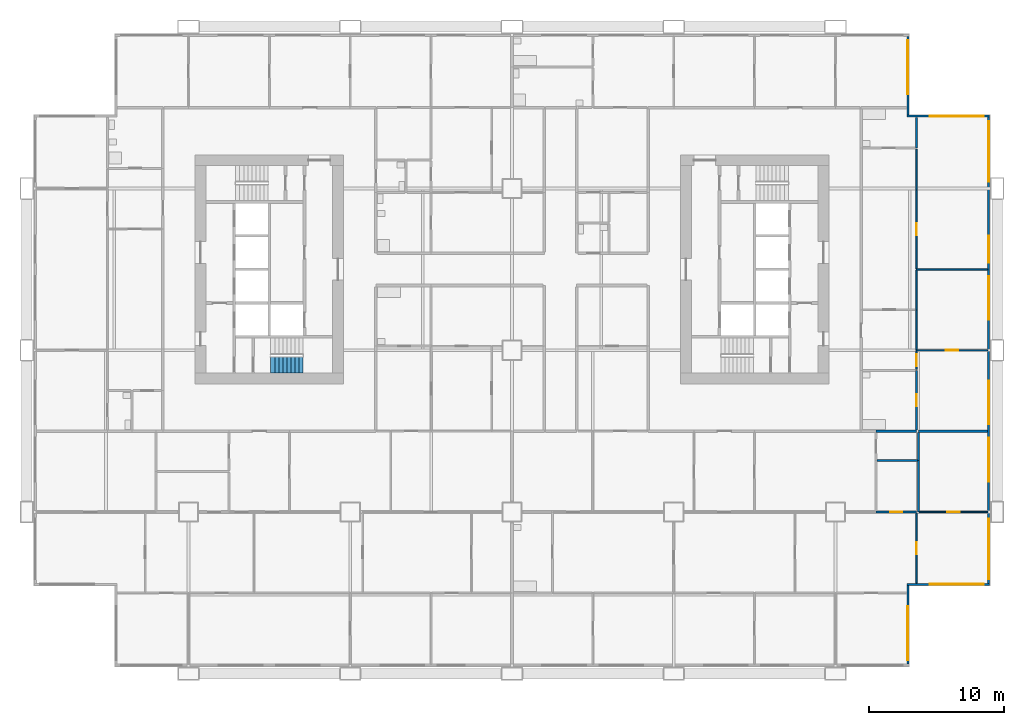
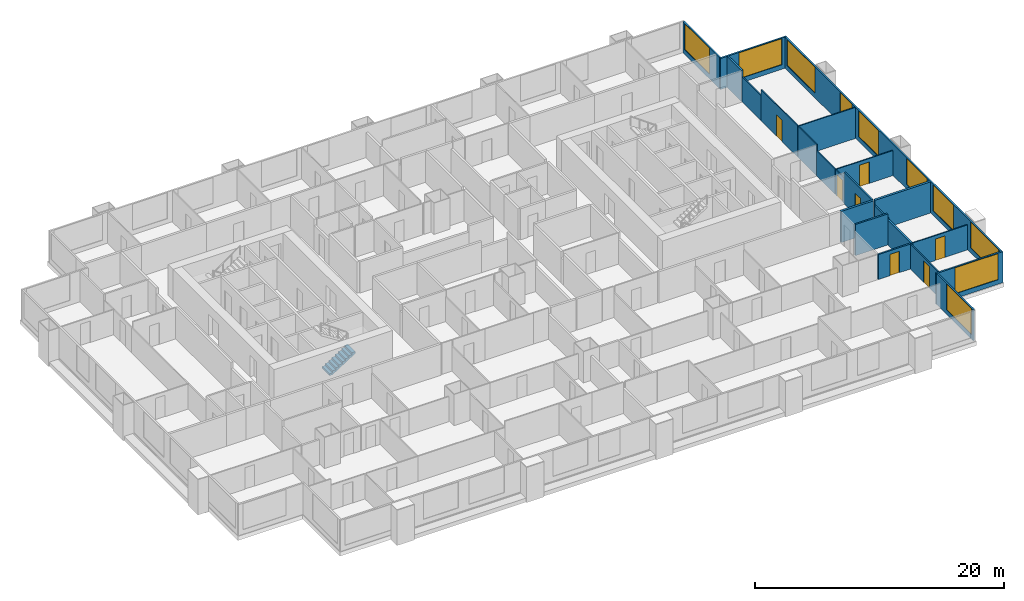
# One storey, part 10 of 13: 22 walls, 10 windows, 7 doors, 1 stair flight, 17 openings, 1 element without a shape of its own.
"""IFC4 building model written with IfcOpenShell, lengths in metres."""

from ifc_helpers import new_model, si_unit, direction, frame, frame_2d, origin, place, context, subcontext, project, spatial, polyline, rectangle, outline, extrude, material, layer, layer_set, type_object, element, fill, aggregate, save


model = new_model("IFC4")

# Units and contexts
model_context = context("Model", 3, precision=1e-05, world=origin(), true_north=direction((0.0, 1.0)))
body_context = subcontext(model_context, "Body", "Model", "MODEL_VIEW")
ifc_project = project(units=[si_unit("LENGTHUNIT", "METRE"), si_unit("AREAUNIT", "SQUARE_METRE"), si_unit("VOLUMEUNIT", "CUBIC_METRE"), si_unit("PLANEANGLEUNIT", "RADIAN"), si_unit("MASSUNIT", "GRAM", prefix="KILO")], contexts=[model_context])

# Site, building, storey
site_placement = place(None, origin())
site = spatial("IfcSite", under=ifc_project, at=site_placement, CompositionType="ELEMENT")
building_placement = place(site_placement, origin())
building = spatial("IfcBuilding", under=site, at=building_placement, Name="Kitamizu Gate Tower and Museum", CompositionType="ELEMENT")
storey_placement = place(building_placement, frame((0.0, 0.0, 88.64990234375)))
storey = spatial("IfcBuildingStorey", under=building, at=storey_placement, Name="L22", CompositionType="ELEMENT", Elevation=88.64990234375)

# Wall, opening, door
ifc_material_1 = material(Name="Gypsum board on galvanised stud")
ifc_layer_1 = layer(ifc_material_1, 0.10009765625)
ifc_layer_set_1 = layer_set([ifc_layer_1], Name="Gypsum board on galvanised stud")
wall_type_1 = type_object("IfcWallType", Name="Partition 100 NOT RATED", PredefinedType="PARTITIONING", material=ifc_layer_set_1)
wall_1_placement = place(storey_placement, frame((66.0, 6.719970703125, 0.0), z_axis=(0.0, 0.0, 1.0), x_axis=(0.0, 1.0, 0.0)))
wall_1 = element("IfcWall", 1, at=wall_1_placement, inside=storey, type_object=wall_type_1, Name="Partition L22-140", PredefinedType="PARTITIONING", context=body_context, shape_type="SweptSolid", body=[
    extrude(rectangle(XDim=5.205078125, YDim=0.10009765625, at=frame_2d((2.6025390625, 0.0))), origin(), (0.0, 0.0, 1.0), 2.4501953125),
])
opening_1_placement = place(wall_1_placement, frame((2.152587890625, 0.0, 0.0)))
opening_1 = element("IfcOpeningElement", 2, at=opening_1_placement, cuts=wall_1, Name="Opening L22-047", PredefinedType="OPENING", context=body_context, shape_type="SweptSolid", body=[
    extrude(rectangle(XDim=0.89990234375, YDim=2.10009765625, at=frame_2d((0.449951171875, 1.050048828125))), frame((0.0, 0.06005859375, 0.0), z_axis=(0.0, -1.0, 0.0), x_axis=(1.0, 0.0, 0.0)), (0.0, 0.0, 1.0), 0.1201171875),
])
ifc_material_2 = material(Name="Timber door set", Category="wood")
door_type_1 = type_object("IfcDoorType", Name="Room door 900", OperationType="NOTDEFINED", PredefinedType="DOOR", material=ifc_material_2)
door_1_placement = place(opening_1_placement, origin())
door_1 = element("IfcDoor", 3, at=door_1_placement, inside=storey, type_object=door_type_1, Name="Door L22-047", OperationType="SINGLE_SWING_RIGHT", OverallHeight=2.10009765625, OverallWidth=0.89990234375, PredefinedType="DOOR", context=body_context, shape_type="SweptSolid", body=[
    extrude(rectangle(XDim=0.89990234375, YDim=2.10009765625, at=frame_2d((0.449951171875, 1.050048828125))), frame((0.0, 0.02490234375, 0.0), z_axis=(0.0, -1.0, 0.0), x_axis=(1.0, 0.0, 0.0)), (0.0, 0.0, 1.0), 0.050048828125),
])
fill(opening_1, door_1)

wall_2_placement = place(storey_placement, frame((71.280029296875, 12.0, 0.0), z_axis=(0.0, 0.0, 1.0), x_axis=(-1.0, 0.0, 0.0)))
wall_2 = element("IfcWall", 4, at=wall_2_placement, inside=storey, type_object=wall_type_1, Name="Partition L22-144", PredefinedType="PARTITIONING", context=body_context, shape_type="SweptSolid", body=[
    extrude(rectangle(XDim=5.05908203125, YDim=0.10009765625, at=frame_2d((2.529541015625, 0.0))), origin(), (0.0, 0.0, 1.0), 2.4501953125),
])
opening_2_placement = place(wall_2_placement, frame((2.07958984375, 0.0, 0.0)))
opening_2 = element("IfcOpeningElement", 5, at=opening_2_placement, cuts=wall_2, Name="Opening L22-054", PredefinedType="OPENING", context=body_context, shape_type="SweptSolid", body=[
    extrude(rectangle(XDim=0.89990234375, YDim=2.10009765625, at=frame_2d((0.449951171875, 1.050048828125))), frame((0.0, 0.06005859375, 0.0), z_axis=(0.0, -1.0, 0.0), x_axis=(1.0, 0.0, 0.0)), (0.0, 0.0, 1.0), 0.1201171875),
])
door_2_placement = place(opening_2_placement, frame((0.89990234375, 0.0, 0.0), x_axis=(-1.0, 0.0, 0.0)))
door_2 = element("IfcDoor", 6, at=door_2_placement, inside=storey, type_object=door_type_1, Name="Door L22-054", OperationType="SINGLE_SWING_LEFT", OverallHeight=2.10009765625, OverallWidth=0.89990234375, PredefinedType="DOOR", context=body_context, shape_type="SweptSolid", body=[
    extrude(rectangle(XDim=0.89990234375, YDim=2.10009765625, at=frame_2d((0.449951171875, 1.050048828125))), frame((0.0, 0.02490234375, 0.0), z_axis=(0.0, -1.0, 0.0), x_axis=(1.0, 0.0, 0.0)), (0.0, 0.0, 1.0), 0.050048828125),
])
fill(opening_2, door_2)

wall_3_placement = place(storey_placement, frame((71.280029296875, 24.0, 0.0), z_axis=(0.0, 0.0, 1.0), x_axis=(-1.0, 0.0, 0.0)))
wall_3 = element("IfcWall", 7, at=wall_3_placement, inside=storey, type_object=wall_type_1, Name="Partition L22-169", PredefinedType="PARTITIONING", context=body_context, shape_type="SweptSolid", body=[
    extrude(rectangle(XDim=5.280029296875, YDim=0.10009765625, at=frame_2d((2.64013671875, 0.0))), origin(), (0.0, 0.0, 1.0), 2.4501953125),
])
opening_3_placement = place(wall_3_placement, frame((2.18994140625, 0.0, 0.0)))
opening_3 = element("IfcOpeningElement", 8, at=opening_3_placement, cuts=wall_3, Name="Opening L22-063", PredefinedType="OPENING", context=body_context, shape_type="SweptSolid", body=[
    extrude(rectangle(XDim=0.89990234375, YDim=2.10009765625, at=frame_2d((0.449951171875, 1.050048828125))), frame((0.0, 0.06005859375, 0.0), z_axis=(0.0, -1.0, 0.0), x_axis=(1.0, 0.0, 0.0)), (0.0, 0.0, 1.0), 0.1201171875),
])
door_3_placement = place(opening_3_placement, origin())
door_3 = element("IfcDoor", 9, at=door_3_placement, inside=storey, type_object=door_type_1, Name="Door L22-063", OperationType="SINGLE_SWING_LEFT", OverallHeight=2.10009765625, OverallWidth=0.89990234375, PredefinedType="DOOR", context=body_context, shape_type="SweptSolid", body=[
    extrude(rectangle(XDim=0.89990234375, YDim=2.10009765625, at=frame_2d((0.449951171875, 1.050048828125))), frame((0.0, 0.02490234375, 0.0), z_axis=(0.0, -1.0, 0.0), x_axis=(1.0, 0.0, 0.0)), (0.0, 0.0, 1.0), 0.050048828125),
])
fill(opening_3, door_3)

wall_4_placement = place(storey_placement, frame((66.0, 23.949951171875, 0.0), z_axis=(0.0, 0.0, 1.0), x_axis=(0.0, -1.0, 0.0)))
wall_4 = element("IfcWall", 10, at=wall_4_placement, inside=storey, type_object=wall_type_1, Name="Partition L22-171", PredefinedType="PARTITIONING", context=body_context, shape_type="SweptSolid", body=[
    extrude(rectangle(XDim=1.375, YDim=0.10009765625, at=frame_2d((0.6875, 0.0))), origin(), (0.0, 0.0, 1.0), 2.4501953125),
])
opening_4_placement = place(wall_4_placement, frame((0.237548828125, 0.0, 0.0)))
opening_4 = element("IfcOpeningElement", 11, at=opening_4_placement, cuts=wall_4, Name="Opening L22-060", PredefinedType="OPENING", context=body_context, shape_type="SweptSolid", body=[
    extrude(rectangle(XDim=0.89990234375, YDim=2.10009765625, at=frame_2d((0.449951171875, 1.050048828125))), frame((0.0, 0.06005859375, 0.0), z_axis=(0.0, -1.0, 0.0), x_axis=(1.0, 0.0, 0.0)), (0.0, 0.0, 1.0), 0.1201171875),
])
door_4_placement = place(opening_4_placement, origin())
door_4 = element("IfcDoor", 12, at=door_4_placement, inside=storey, type_object=door_type_1, Name="Door L22-060", OperationType="SINGLE_SWING_RIGHT", OverallHeight=2.10009765625, OverallWidth=0.89990234375, PredefinedType="DOOR", context=body_context, shape_type="SweptSolid", body=[
    extrude(rectangle(XDim=0.89990234375, YDim=2.10009765625, at=frame_2d((0.449951171875, 1.050048828125))), frame((0.0, 0.02490234375, 0.0), z_axis=(0.0, -1.0, 0.0), x_axis=(1.0, 0.0, 0.0)), (0.0, 0.0, 1.0), 0.050048828125),
])
fill(opening_4, door_4)

# Walls
wall_5_placement = place(storey_placement, frame((71.280029296875, 30.0, 0.0), z_axis=(0.0, 0.0, 1.0), x_axis=(-1.0, 0.0, 0.0)))
element("IfcWall", 13, at=wall_5_placement, inside=storey, type_object=wall_type_1, Name="Partition L22-172", PredefinedType="PARTITIONING", context=body_context, shape_type="SweptSolid", body=[
    extrude(rectangle(XDim=5.280029296875, YDim=0.10009765625, at=frame_2d((2.64013671875, 0.0))), origin(), (0.0, 0.0, 1.0), 3.050048828125),
])
wall_6_placement = place(storey_placement, frame((66.0, 27.0, 0.0), z_axis=(0.0, 0.0, 1.0), x_axis=(0.0, -1.0, 0.0)))
element("IfcWall", 14, at=wall_6_placement, inside=storey, type_object=wall_type_1, Name="Partition L22-173", PredefinedType="PARTITIONING", context=body_context, shape_type="SweptSolid", body=[
    extrude(rectangle(XDim=2.949951171875, YDim=0.10009765625, at=frame_2d((1.47509765625, 0.0))), origin(), (0.0, 0.0, 1.0), 2.4501953125),
])
wall_7_placement = place(storey_placement, frame((66.0, 29.949951171875, 0.0), z_axis=(0.0, 0.0, 1.0), x_axis=(0.0, -1.0, 0.0)))
element("IfcWall", 15, at=wall_7_placement, inside=storey, type_object=wall_type_1, Name="Partition L22-174", PredefinedType="PARTITIONING", context=body_context, shape_type="SweptSolid", body=[
    extrude(rectangle(XDim=2.949951171875, YDim=0.10009765625, at=frame_2d((1.47509765625, 0.0))), origin(), (0.0, 0.0, 1.0), 3.050048828125),
])
wall_8_placement = place(storey_placement, frame((66.0, 38.925048828125, 0.0), z_axis=(0.0, 0.0, 1.0), x_axis=(0.0, -1.0, 0.0)))
element("IfcWall", 16, at=wall_8_placement, inside=storey, type_object=wall_type_1, Name="Partition L22-175", PredefinedType="PARTITIONING", context=body_context, shape_type="SweptSolid", body=[
    extrude(rectangle(XDim=3.025146484375, YDim=0.10009765625, at=frame_2d((1.5126953125, 0.0))), origin(), (0.0, 0.0, 1.0), 2.4501953125),
])

# Wall, opening, door
wall_9_placement = place(storey_placement, frame((66.0, 35.89990234375, 0.0), z_axis=(0.0, 0.0, 1.0), x_axis=(0.0, -1.0, 0.0)))
wall_9 = element("IfcWall", 17, at=wall_9_placement, inside=storey, type_object=wall_type_1, Name="Partition L22-176", PredefinedType="PARTITIONING", context=body_context, shape_type="SweptSolid", body=[
    extrude(rectangle(XDim=5.849853515625, YDim=0.10009765625, at=frame_2d((2.9248046875, 0.0))), origin(), (0.0, 0.0, 1.0), 3.050048828125),
])
opening_5_placement = place(wall_9_placement, frame((2.47509765625, 0.0, 0.0)))
opening_5 = element("IfcOpeningElement", 18, at=opening_5_placement, cuts=wall_9, Name="Opening L22-062", PredefinedType="OPENING", context=body_context, shape_type="SweptSolid", body=[
    extrude(rectangle(XDim=0.89990234375, YDim=2.10009765625, at=frame_2d((0.449951171875, 1.050048828125))), frame((0.0, 0.06005859375, 0.0), z_axis=(0.0, -1.0, 0.0), x_axis=(1.0, 0.0, 0.0)), (0.0, 0.0, 1.0), 0.1201171875),
])
door_5_placement = place(opening_5_placement, origin())
door_5 = element("IfcDoor", 19, at=door_5_placement, inside=storey, type_object=door_type_1, Name="Door L22-062", OperationType="SINGLE_SWING_RIGHT", OverallHeight=2.10009765625, OverallWidth=0.89990234375, PredefinedType="DOOR", context=body_context, shape_type="SweptSolid", body=[
    extrude(rectangle(XDim=0.89990234375, YDim=2.10009765625, at=frame_2d((0.449951171875, 1.050048828125))), frame((0.0, 0.02490234375, 0.0), z_axis=(0.0, -1.0, 0.0), x_axis=(1.0, 0.0, 0.0)), (0.0, 0.0, 1.0), 0.050048828125),
])
fill(opening_5, door_5)

ifc_material_3 = material(Name="Gypsum board on galvanised stud")
ifc_layer_2 = layer(ifc_material_3, 0.14990234375)
ifc_layer_set_2 = layer_set([ifc_layer_2], Name="Gypsum board on galvanised stud")
wall_type_2 = type_object("IfcWallType", Name="Partition 150", PredefinedType="PARTITIONING", material=ifc_layer_set_2)
wall_10_placement = place(storey_placement, frame((66.0, 12.0, 0.0), z_axis=(0.0, 0.0, 1.0), x_axis=(-1.0, 0.0, 0.0)))
wall_10 = element("IfcWall", 20, at=wall_10_placement, inside=storey, type_object=wall_type_2, Name="Partition L22-143", PredefinedType="PARTITIONING", context=body_context, shape_type="SweptSolid", body=[
    extrude(rectangle(XDim=3.0, YDim=0.14990234375, at=frame_2d((1.5, 0.0))), origin(), (0.0, 0.0, 1.0), 2.4501953125),
])
opening_6_placement = place(wall_10_placement, frame((1.050048828125, 0.0, 0.0)))
opening_6 = element("IfcOpeningElement", 21, at=opening_6_placement, cuts=wall_10, Name="Opening L22-055", PredefinedType="OPENING", context=body_context, shape_type="SweptSolid", body=[
    extrude(rectangle(XDim=0.89990234375, YDim=2.10009765625, at=frame_2d((0.449951171875, 1.050048828125))), frame((0.0, 0.0849609375, 0.0), z_axis=(0.0, -1.0, 0.0), x_axis=(1.0, 0.0, 0.0)), (0.0, 0.0, 1.0), 0.169921875),
])
ifc_material_4 = material(Name="Timber door set", Category="wood")
door_type_2 = type_object("IfcDoorType", Name="Bathroom door 900", OperationType="NOTDEFINED", PredefinedType="DOOR", material=ifc_material_4)
door_6_placement = place(opening_6_placement, frame((0.89990234375, 0.0, 0.0), x_axis=(-1.0, 0.0, 0.0)))
door_6 = element("IfcDoor", 22, at=door_6_placement, inside=storey, type_object=door_type_2, Name="Bathroom door L22-055", OperationType="SINGLE_SWING_RIGHT", OverallHeight=2.10009765625, OverallWidth=0.89990234375, PredefinedType="DOOR", context=body_context, shape_type="SweptSolid", body=[
    extrude(rectangle(XDim=0.89990234375, YDim=2.10009765625, at=frame_2d((0.449951171875, 1.050048828125))), frame((0.0, 0.02490234375, 0.0), z_axis=(0.0, -1.0, 0.0), x_axis=(1.0, 0.0, 0.0)), (0.0, 0.0, 1.0), 0.050048828125),
])
fill(opening_6, door_6)

# Walls
wall_11_placement = place(storey_placement, frame((66.14599609375, 15.81396484375, 0.0), z_axis=(0.0, 0.0, 1.0), x_axis=(0.0, -1.0, 0.0)))
element("IfcWall", 23, at=wall_11_placement, inside=storey, type_object=wall_type_2, Name="Partition L22-157", PredefinedType="PARTITIONING", context=body_context, shape_type="SweptSolid", body=[
    extrude(rectangle(XDim=3.81396484375, YDim=0.14990234375, at=frame_2d((1.906982421875, 0.0))), origin(), (0.0, 0.0, 1.0), 2.4501953125),
])
wall_12_placement = place(storey_placement, frame((66.14599609375, 17.89990234375, 0.0), z_axis=(0.0, 0.0, 1.0), x_axis=(0.0, -1.0, 0.0)))
element("IfcWall", 24, at=wall_12_placement, inside=storey, type_object=wall_type_2, Name="Partition L22-158", PredefinedType="PARTITIONING", context=body_context, shape_type="SweptSolid", body=[
    extrude(rectangle(XDim=2.0859375, YDim=0.14990234375, at=frame_2d((1.04296875, 0.0))), origin(), (0.0, 0.0, 1.0), 2.550048828125),
])
wall_13_placement = place(storey_placement, frame((66.071044921875, 15.81396484375, 0.0), z_axis=(0.0, 0.0, 1.0), x_axis=(-1.0, 0.0, 0.0)))
element("IfcWall", 25, at=wall_13_placement, inside=storey, type_object=wall_type_2, Name="Partition L22-160", PredefinedType="PARTITIONING", context=body_context, shape_type="SweptSolid", body=[
    extrude(rectangle(XDim=2.99609375, YDim=0.14990234375, at=frame_2d((1.498046875, 0.0))), origin(), (0.0, 0.0, 1.0), 3.050048828125),
])

# Wall, opening, door
wall_14_placement = place(storey_placement, frame((66.0, 22.5, 0.0), z_axis=(0.0, 0.0, 1.0), x_axis=(0.0, -1.0, 0.0)))
wall_14 = element("IfcWall", 26, at=wall_14_placement, inside=storey, type_object=wall_type_2, Name="Partition L22-170", PredefinedType="PARTITIONING", context=body_context, shape_type="SweptSolid", body=[
    extrude(rectangle(XDim=4.39990234375, YDim=0.14990234375, at=frame_2d((2.199951171875, 0.0))), origin(), (0.0, 0.0, 1.0), 3.050048828125),
])
opening_7_placement = place(wall_14_placement, frame((1.75, 0.0, 0.0)))
opening_7 = element("IfcOpeningElement", 27, at=opening_7_placement, cuts=wall_14, Name="Opening L22-064", PredefinedType="OPENING", context=body_context, shape_type="SweptSolid", body=[
    extrude(rectangle(XDim=0.89990234375, YDim=2.10009765625, at=frame_2d((0.449951171875, 1.050048828125))), frame((0.0, 0.0849609375, 0.0), z_axis=(0.0, -1.0, 0.0), x_axis=(1.0, 0.0, 0.0)), (0.0, 0.0, 1.0), 0.169921875),
])
door_7_placement = place(opening_7_placement, frame((0.89990234375, 0.0, 0.0), x_axis=(-1.0, 0.0, 0.0)))
door_7 = element("IfcDoor", 28, at=door_7_placement, inside=storey, type_object=door_type_2, Name="Bathroom door L22-064", OperationType="SINGLE_SWING_LEFT", OverallHeight=2.10009765625, OverallWidth=0.89990234375, PredefinedType="DOOR", context=body_context, shape_type="SweptSolid", body=[
    extrude(rectangle(XDim=0.89990234375, YDim=2.10009765625, at=frame_2d((0.449951171875, 1.050048828125))), frame((0.0, 0.02490234375, 0.0), z_axis=(0.0, -1.0, 0.0), x_axis=(1.0, 0.0, 0.0)), (0.0, 0.0, 1.0), 0.050048828125),
])
fill(opening_7, door_7)

# Walls
wall_15_placement = place(storey_placement, frame((66.0, 41.280029296875, 0.0), z_axis=(0.0, 0.0, 1.0), x_axis=(0.0, -1.0, 0.0)))
element("IfcWall", 29, at=wall_15_placement, inside=storey, type_object=wall_type_2, Name="Partition L22-177", PredefinedType="PARTITIONING", context=body_context, shape_type="SweptSolid", body=[
    extrude(rectangle(XDim=2.280029296875, YDim=0.14990234375, at=frame_2d((1.14013671875, 0.0))), origin(), (0.0, 0.0, 1.0), 3.050048828125),
])
ifc_material_5 = material(Name="Gypsum board on galvanised stud")
ifc_layer_3 = layer(ifc_material_5, 0.199951171875)
ifc_layer_set_3 = layer_set([ifc_layer_3], Name="Gypsum board on galvanised stud")
wall_type_3 = type_object("IfcWallType", Name="Partition 200", PredefinedType="PARTITIONING", material=ifc_layer_set_3)
wall_16_placement = place(storey_placement, frame((71.280029296875, 18.0, 0.0), z_axis=(0.0, 0.0, 1.0), x_axis=(-1.0, 0.0, 0.0)))
element("IfcWall", 30, at=wall_16_placement, inside=storey, type_object=wall_type_3, Name="Partition L22-159", PredefinedType="PARTITIONING", context=body_context, shape_type="SweptSolid", body=[
    extrude(rectangle(XDim=5.134033203125, YDim=0.199951171875, at=frame_2d((2.56689453125, 0.0))), origin(), (0.0, 0.0, 1.0), 3.050048828125),
])
wall_17_placement = place(storey_placement, frame((66.0, 18.0, 0.0), z_axis=(0.0, 0.0, 1.0), x_axis=(-1.0, 0.0, 0.0)))
element("IfcWall", 31, at=wall_17_placement, inside=storey, type_object=wall_type_3, Name="Partition L22-161", PredefinedType="PARTITIONING", context=body_context, shape_type="SweptSolid", body=[
    extrude(rectangle(XDim=3.0, YDim=0.199951171875, at=frame_2d((1.5, 0.0))), origin(), (0.0, 0.0, 1.0), 3.050048828125),
])

# Wall, opening, window
ifc_material_6 = material(Name="Bronze anodised aluminium frame with insulated spandrel and tinted glass", Category="aluminium")
ifc_layer_4 = layer(ifc_material_6, 0.14990234375)
ifc_layer_set_4 = layer_set([ifc_layer_4], Name="Bronze anodised aluminium frame with insulated spandrel and tinted glass")
wall_type_4 = type_object("IfcWallType", Name="WINDOW WALL 150 BRONZE FRAME EI 30", PredefinedType="ELEMENTEDWALL", material=ifc_layer_set_4)
wall_18_placement = place(storey_placement, frame((65.364990234375, 0.7099609375, 0.0), z_axis=(0.0, 0.0, 1.0), x_axis=(0.0, 1.0, 0.0)))
wall_18 = element("IfcWall", 32, at=wall_18_placement, inside=storey, type_object=wall_type_4, Name="Window wall east L22", PredefinedType="ELEMENTEDWALL", context=body_context, shape_type="SweptSolid", body=[
    extrude(rectangle(XDim=5.85009765625, YDim=0.14990234375, at=frame_2d((2.925048828125, 0.0))), origin(), (0.0, 0.0, 1.0), 3.050048828125),
])
opening_8_placement = place(wall_18_placement, frame((0.2900390625, 0.0, 0.449951171875)))
opening_8 = element("IfcOpeningElement", 33, at=opening_8_placement, cuts=wall_18, Name="Opening W16", PredefinedType="OPENING", context=body_context, shape_type="SweptSolid", body=[
    extrude(rectangle(XDim=4.0, YDim=2.550048828125, at=frame_2d((2.0, 1.27490234375))), frame((0.0, 0.0849609375, 0.0), z_axis=(0.0, -1.0, 0.0), x_axis=(1.0, 0.0, 0.0)), (0.0, 0.0, 1.0), 0.169921875),
])
ifc_material_7 = material(Name="Bronze anodised aluminium frame, tinted triple glazing", Category="aluminium")
window_type_1 = type_object("IfcWindowType", Name="WINDOW 4000 x 2550 SILL 450", PartitioningType="SINGLE_PANEL", PredefinedType="WINDOW", material=ifc_material_7)
window_1_placement = place(opening_8_placement, origin())
window_1 = element("IfcWindow", 34, at=window_1_placement, inside=storey, type_object=window_type_1, Name="Window W16 L22", OverallHeight=2.550048828125, OverallWidth=4.0, PartitioningType="SINGLE_PANEL", PredefinedType="WINDOW", context=body_context, shape_type="SweptSolid", body=[
    extrude(rectangle(XDim=4.0, YDim=2.550048828125, at=frame_2d((2.0, 1.27490234375))), frame((0.0, 0.030029296875, 0.0), z_axis=(0.0, -1.0, 0.0), x_axis=(1.0, 0.0, 0.0)), (0.0, 0.0, 1.0), 0.06005859375),
])
fill(opening_8, window_1)

wall_19_placement = place(storey_placement, frame((65.2900390625, 6.635009765625, 0.0), z_axis=(0.0, 0.0, 1.0), x_axis=(1.0, 0.0, 0.0)))
wall_19 = element("IfcWall", 35, at=wall_19_placement, inside=storey, type_object=wall_type_4, Name="Window wall south L22", PredefinedType="ELEMENTEDWALL", context=body_context, shape_type="SweptSolid", body=[
    extrude(rectangle(XDim=6.14990234375, YDim=0.14990234375, at=frame_2d((3.074951171875, 0.0))), origin(), (0.0, 0.0, 1.0), 3.050048828125),
])
opening_9_placement = place(wall_19_placement, frame((1.7099609375, 0.0, 0.449951171875)))
opening_9 = element("IfcOpeningElement", 36, at=opening_9_placement, cuts=wall_19, Name="Opening W16", PredefinedType="OPENING", context=body_context, shape_type="SweptSolid", body=[
    extrude(rectangle(XDim=4.0, YDim=2.550048828125, at=frame_2d((2.0, 1.27490234375))), frame((0.0, 0.0849609375, 0.0), z_axis=(0.0, -1.0, 0.0), x_axis=(1.0, 0.0, 0.0)), (0.0, 0.0, 1.0), 0.169921875),
])
window_2_placement = place(opening_9_placement, origin())
window_2 = element("IfcWindow", 37, at=window_2_placement, inside=storey, type_object=window_type_1, Name="Window W16 L22", OverallHeight=2.550048828125, OverallWidth=4.0, PartitioningType="SINGLE_PANEL", PredefinedType="WINDOW", context=body_context, shape_type="SweptSolid", body=[
    extrude(rectangle(XDim=4.0, YDim=2.550048828125, at=frame_2d((2.0, 1.27490234375))), frame((0.0, 0.030029296875, 0.0), z_axis=(0.0, -1.0, 0.0), x_axis=(1.0, 0.0, 0.0)), (0.0, 0.0, 1.0), 0.06005859375),
])
fill(opening_9, window_2)

# Wall, openings, windows
wall_20_placement = place(storey_placement, frame((71.364990234375, 6.7099609375, 0.0), z_axis=(0.0, 0.0, 1.0), x_axis=(0.0, 1.0, 0.0)))
wall_20 = element("IfcWall", 38, at=wall_20_placement, inside=storey, type_object=wall_type_4, Name="Window wall east L22", PredefinedType="ELEMENTEDWALL", context=body_context, shape_type="SweptSolid", body=[
    extrude(rectangle(XDim=34.580078125, YDim=0.14990234375, at=frame_2d((17.2900390625, 0.0))), origin(), (0.0, 0.0, 1.0), 3.050048828125),
])
opening_10_placement = place(wall_20_placement, frame((0.2900390625, 0.0, 0.449951171875)))
opening_10 = element("IfcOpeningElement", 39, at=opening_10_placement, cuts=wall_20, Name="Opening W15", PredefinedType="OPENING", context=body_context, shape_type="SweptSolid", body=[
    extrude(rectangle(XDim=4.5, YDim=2.550048828125, at=frame_2d((2.25, 1.27490234375))), frame((0.0, 0.0849609375, 0.0), z_axis=(0.0, -1.0, 0.0), x_axis=(1.0, 0.0, 0.0)), (0.0, 0.0, 1.0), 0.169921875),
])
opening_11_placement = place(wall_20_placement, frame((7.5400390625, 0.0, 0.449951171875)))
opening_11 = element("IfcOpeningElement", 40, at=opening_11_placement, cuts=wall_20, Name="Opening W34", PredefinedType="OPENING", context=body_context, shape_type="SweptSolid", body=[
    extrude(rectangle(XDim=3.25, YDim=2.550048828125, at=frame_2d((1.625, 1.27490234375))), frame((0.0, 0.0849609375, 0.0), z_axis=(0.0, -1.0, 0.0), x_axis=(1.0, 0.0, 0.0)), (0.0, 0.0, 1.0), 0.169921875),
])
opening_12_placement = place(wall_20_placement, frame((11.7900390625, 0.0, 0.449951171875)))
opening_12 = element("IfcOpeningElement", 41, at=opening_12_placement, cuts=wall_20, Name="Opening W34", PredefinedType="OPENING", context=body_context, shape_type="SweptSolid", body=[
    extrude(rectangle(XDim=3.25, YDim=2.550048828125, at=frame_2d((1.625, 1.27490234375))), frame((0.0, 0.0849609375, 0.0), z_axis=(0.0, -1.0, 0.0), x_axis=(1.0, 0.0, 0.0)), (0.0, 0.0, 1.0), 0.169921875),
])
opening_13_placement = place(wall_20_placement, frame((19.5400390625, 0.0, 0.449951171875)))
opening_13 = element("IfcOpeningElement", 42, at=opening_13_placement, cuts=wall_20, Name="Opening W34", PredefinedType="OPENING", context=body_context, shape_type="SweptSolid", body=[
    extrude(rectangle(XDim=3.25, YDim=2.550048828125, at=frame_2d((1.625, 1.27490234375))), frame((0.0, 0.0849609375, 0.0), z_axis=(0.0, -1.0, 0.0), x_axis=(1.0, 0.0, 0.0)), (0.0, 0.0, 1.0), 0.169921875),
])
opening_14_placement = place(wall_20_placement, frame((23.7900390625, 0.0, 0.449951171875)))
opening_14 = element("IfcOpeningElement", 43, at=opening_14_placement, cuts=wall_20, Name="Opening W2", PredefinedType="OPENING", context=body_context, shape_type="SweptSolid", body=[
    extrude(rectangle(XDim=2.0, YDim=2.550048828125, at=frame_2d((1.0, 1.27490234375))), frame((0.0, 0.0849609375, 0.0), z_axis=(0.0, -1.0, 0.0), x_axis=(1.0, 0.0, 0.0)), (0.0, 0.0, 1.0), 0.169921875),
])
opening_15_placement = place(wall_20_placement, frame((29.7900390625, 0.0, 0.449951171875)))
opening_15 = element("IfcOpeningElement", 44, at=opening_15_placement, cuts=wall_20, Name="Opening W15", PredefinedType="OPENING", context=body_context, shape_type="SweptSolid", body=[
    extrude(rectangle(XDim=4.5, YDim=2.550048828125, at=frame_2d((2.25, 1.27490234375))), frame((0.0, 0.0849609375, 0.0), z_axis=(0.0, -1.0, 0.0), x_axis=(1.0, 0.0, 0.0)), (0.0, 0.0, 1.0), 0.169921875),
])
ifc_material_8 = material(Name="Bronze anodised aluminium frame, tinted triple glazing", Category="aluminium")
window_type_2 = type_object("IfcWindowType", Name="WINDOW 2000 x 2550 SILL 450", PartitioningType="SINGLE_PANEL", PredefinedType="WINDOW", material=ifc_material_8)
window_3_placement = place(opening_14_placement, origin())
window_3 = element("IfcWindow", 45, at=window_3_placement, inside=storey, type_object=window_type_2, Name="Window W2 L22", OverallHeight=2.550048828125, OverallWidth=2.0, PartitioningType="SINGLE_PANEL", PredefinedType="WINDOW", context=body_context, shape_type="SweptSolid", body=[
    extrude(rectangle(XDim=2.0, YDim=2.550048828125, at=frame_2d((1.0, 1.27490234375))), frame((0.0, 0.030029296875, 0.0), z_axis=(0.0, -1.0, 0.0), x_axis=(1.0, 0.0, 0.0)), (0.0, 0.0, 1.0), 0.06005859375),
])
fill(opening_14, window_3)
ifc_material_9 = material(Name="Bronze anodised aluminium frame, tinted triple glazing", Category="aluminium")
window_type_3 = type_object("IfcWindowType", Name="WINDOW 3250 x 2550 SILL 450", PartitioningType="SINGLE_PANEL", PredefinedType="WINDOW", material=ifc_material_9)
window_4_placement = place(opening_11_placement, origin())
window_4 = element("IfcWindow", 46, at=window_4_placement, inside=storey, type_object=window_type_3, Name="Window W34 L22", OverallHeight=2.550048828125, OverallWidth=3.25, PartitioningType="SINGLE_PANEL", PredefinedType="WINDOW", context=body_context, shape_type="SweptSolid", body=[
    extrude(rectangle(XDim=3.25, YDim=2.550048828125, at=frame_2d((1.625, 1.27490234375))), frame((0.0, 0.030029296875, 0.0), z_axis=(0.0, -1.0, 0.0), x_axis=(1.0, 0.0, 0.0)), (0.0, 0.0, 1.0), 0.06005859375),
])
fill(opening_11, window_4)
window_5_placement = place(opening_12_placement, origin())
window_5 = element("IfcWindow", 47, at=window_5_placement, inside=storey, type_object=window_type_3, Name="Window W34 L22", OverallHeight=2.550048828125, OverallWidth=3.25, PartitioningType="SINGLE_PANEL", PredefinedType="WINDOW", context=body_context, shape_type="SweptSolid", body=[
    extrude(rectangle(XDim=3.25, YDim=2.550048828125, at=frame_2d((1.625, 1.27490234375))), frame((0.0, 0.030029296875, 0.0), z_axis=(0.0, -1.0, 0.0), x_axis=(1.0, 0.0, 0.0)), (0.0, 0.0, 1.0), 0.06005859375),
])
fill(opening_12, window_5)
window_6_placement = place(opening_13_placement, origin())
window_6 = element("IfcWindow", 48, at=window_6_placement, inside=storey, type_object=window_type_3, Name="Window W34 L22", OverallHeight=2.550048828125, OverallWidth=3.25, PartitioningType="SINGLE_PANEL", PredefinedType="WINDOW", context=body_context, shape_type="SweptSolid", body=[
    extrude(rectangle(XDim=3.25, YDim=2.550048828125, at=frame_2d((1.625, 1.27490234375))), frame((0.0, 0.030029296875, 0.0), z_axis=(0.0, -1.0, 0.0), x_axis=(1.0, 0.0, 0.0)), (0.0, 0.0, 1.0), 0.06005859375),
])
fill(opening_13, window_6)
ifc_material_10 = material(Name="Bronze anodised aluminium frame, tinted triple glazing", Category="aluminium")
window_type_4 = type_object("IfcWindowType", Name="WINDOW 4500 x 2550 SILL 450", PartitioningType="SINGLE_PANEL", PredefinedType="WINDOW", material=ifc_material_10)
window_7_placement = place(opening_10_placement, origin())
window_7 = element("IfcWindow", 49, at=window_7_placement, inside=storey, type_object=window_type_4, Name="Window W15 L22", OverallHeight=2.550048828125, OverallWidth=4.5, PartitioningType="SINGLE_PANEL", PredefinedType="WINDOW", context=body_context, shape_type="SweptSolid", body=[
    extrude(rectangle(XDim=4.5, YDim=2.550048828125, at=frame_2d((2.25, 1.27490234375))), frame((0.0, 0.030029296875, 0.0), z_axis=(0.0, -1.0, 0.0), x_axis=(1.0, 0.0, 0.0)), (0.0, 0.0, 1.0), 0.06005859375),
])
fill(opening_10, window_7)
window_8_placement = place(opening_15_placement, origin())
window_8 = element("IfcWindow", 50, at=window_8_placement, inside=storey, type_object=window_type_4, Name="Window W15 L22", OverallHeight=2.550048828125, OverallWidth=4.5, PartitioningType="SINGLE_PANEL", PredefinedType="WINDOW", context=body_context, shape_type="SweptSolid", body=[
    extrude(rectangle(XDim=4.5, YDim=2.550048828125, at=frame_2d((2.25, 1.27490234375))), frame((0.0, 0.030029296875, 0.0), z_axis=(0.0, -1.0, 0.0), x_axis=(1.0, 0.0, 0.0)), (0.0, 0.0, 1.0), 0.06005859375),
])
fill(opening_15, window_8)

# Wall, opening, window
wall_21_placement = place(storey_placement, frame((65.2900390625, 41.364990234375, 0.0), z_axis=(0.0, 0.0, 1.0), x_axis=(1.0, 0.0, 0.0)))
wall_21 = element("IfcWall", 51, at=wall_21_placement, inside=storey, type_object=wall_type_4, Name="Window wall north L22", PredefinedType="ELEMENTEDWALL", context=body_context, shape_type="SweptSolid", body=[
    extrude(rectangle(XDim=6.14990234375, YDim=0.14990234375, at=frame_2d((3.074951171875, 0.0))), origin(), (0.0, 0.0, 1.0), 3.050048828125),
])
opening_16_placement = place(wall_21_placement, frame((1.7099609375, 0.0, 0.449951171875)))
opening_16 = element("IfcOpeningElement", 52, at=opening_16_placement, cuts=wall_21, Name="Opening W16", PredefinedType="OPENING", context=body_context, shape_type="SweptSolid", body=[
    extrude(rectangle(XDim=4.0, YDim=2.550048828125, at=frame_2d((2.0, 1.27490234375))), frame((0.0, 0.0849609375, 0.0), z_axis=(0.0, -1.0, 0.0), x_axis=(1.0, 0.0, 0.0)), (0.0, 0.0, 1.0), 0.169921875),
])
window_9_placement = place(opening_16_placement, origin())
window_9 = element("IfcWindow", 53, at=window_9_placement, inside=storey, type_object=window_type_1, Name="Window W16 L22", OverallHeight=2.550048828125, OverallWidth=4.0, PartitioningType="SINGLE_PANEL", PredefinedType="WINDOW", context=body_context, shape_type="SweptSolid", body=[
    extrude(rectangle(XDim=4.0, YDim=2.550048828125, at=frame_2d((2.0, 1.27490234375))), frame((0.0, 0.030029296875, 0.0), z_axis=(0.0, -1.0, 0.0), x_axis=(1.0, 0.0, 0.0)), (0.0, 0.0, 1.0), 0.06005859375),
])
fill(opening_16, window_9)

wall_22_placement = place(storey_placement, frame((65.364990234375, 41.43994140625, 0.0), z_axis=(0.0, 0.0, 1.0), x_axis=(0.0, 1.0, 0.0)))
wall_22 = element("IfcWall", 54, at=wall_22_placement, inside=storey, type_object=wall_type_4, Name="Window wall east L22", PredefinedType="ELEMENTEDWALL", context=body_context, shape_type="SweptSolid", body=[
    extrude(rectangle(XDim=5.85009765625, YDim=0.14990234375, at=frame_2d((2.925048828125, 0.0))), origin(), (0.0, 0.0, 1.0), 3.050048828125),
])
opening_17_placement = place(wall_22_placement, frame((1.56005859375, 0.0, 0.449951171875)))
opening_17 = element("IfcOpeningElement", 55, at=opening_17_placement, cuts=wall_22, Name="Opening W16", PredefinedType="OPENING", context=body_context, shape_type="SweptSolid", body=[
    extrude(rectangle(XDim=4.0, YDim=2.550048828125, at=frame_2d((2.0, 1.27490234375))), frame((0.0, 0.0849609375, 0.0), z_axis=(0.0, -1.0, 0.0), x_axis=(1.0, 0.0, 0.0)), (0.0, 0.0, 1.0), 0.169921875),
])
window_10_placement = place(opening_17_placement, origin())
window_10 = element("IfcWindow", 56, at=window_10_placement, inside=storey, type_object=window_type_1, Name="Window W16 L22", OverallHeight=2.550048828125, OverallWidth=4.0, PartitioningType="SINGLE_PANEL", PredefinedType="WINDOW", context=body_context, shape_type="SweptSolid", body=[
    extrude(rectangle(XDim=4.0, YDim=2.550048828125, at=frame_2d((2.0, 1.27490234375))), frame((0.0, 0.030029296875, 0.0), z_axis=(0.0, -1.0, 0.0), x_axis=(1.0, 0.0, 0.0)), (0.0, 0.0, 1.0), 0.06005859375),
])
fill(opening_17, window_10)

# Stair, stair flight
ifc_material_11 = material(Name="Concrete Fc42", Category="concrete")
stair_type = type_object("IfcStairType", Name="Exit stair 1200 wide 192 rise 300 going", PredefinedType="HALF_TURN_STAIR", material=ifc_material_11)
stair_placement = place(storey_placement, origin())
stair = element("IfcStair", 57, at=stair_placement, inside=storey, type_object=stair_type, Name="Exit stair ST1", PredefinedType="HALF_TURN_STAIR")
ifc_material_12 = material(Name="Concrete Fc42", Category="concrete")
stair_flight_type = type_object("IfcStairFlightType", Name="Stair flight 1200 wide 192 rise 300 going", PredefinedType="STRAIGHT", material=ifc_material_12)
stair_flight_placement = place(storey_placement, frame((18.10009765625, 22.89990234375, 0.0), z_axis=(0.0, 0.0, 1.0), x_axis=(1.0, 0.0, 0.0)))
stair_flight = element("IfcStairFlight", 58, at=stair_flight_placement, type_object=stair_flight_type, Name="ST1 flight 1", NumberOfRisers=9, NumberOfTreads=8, PredefinedType="STRAIGHT", RiserHeight=0.191666667, TreadLength=0.3, context=body_context, shape_type="SweptSolid", body=[
    extrude(outline(polyline([(0.0, 0.0), (0.0, 0.191650390625), (0.300048828125, 0.191650390625), (0.300048828125, 0.38330078125), (0.60009765625, 0.38330078125), (0.60009765625, 0.574951171875), (0.89990234375, 0.574951171875), (0.89990234375, 0.7666015625), (1.199951171875, 0.7666015625), (1.199951171875, 0.958251953125), (1.5, 0.958251953125), (1.5, 1.14990234375), (1.800048828125, 1.14990234375), (1.800048828125, 1.341552734375), (2.10009765625, 1.341552734375), (2.10009765625, 1.533447265625), (2.39990234375, 1.533447265625), (2.39990234375, 1.72509765625), (2.39990234375, 1.35546875), (0.2783203125, 0.0), (0.0, 0.0)])), frame((0.0, 0.60009765625, 0.0), z_axis=(0.0, -1.0, 0.0), x_axis=(1.0, 0.0, 0.0)), (0.0, 0.0, 1.0), 1.199951171875),
])
aggregate(stair, [stair_flight])

save(model, "model.ifc")
